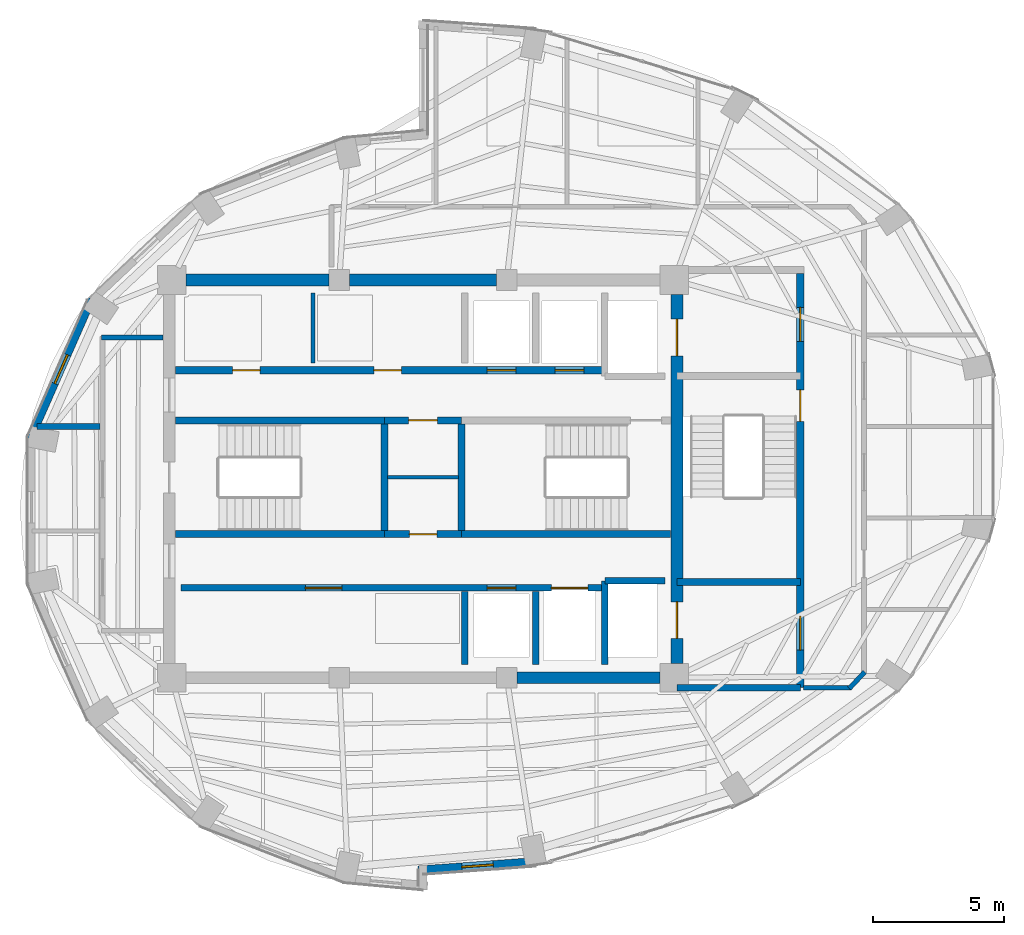
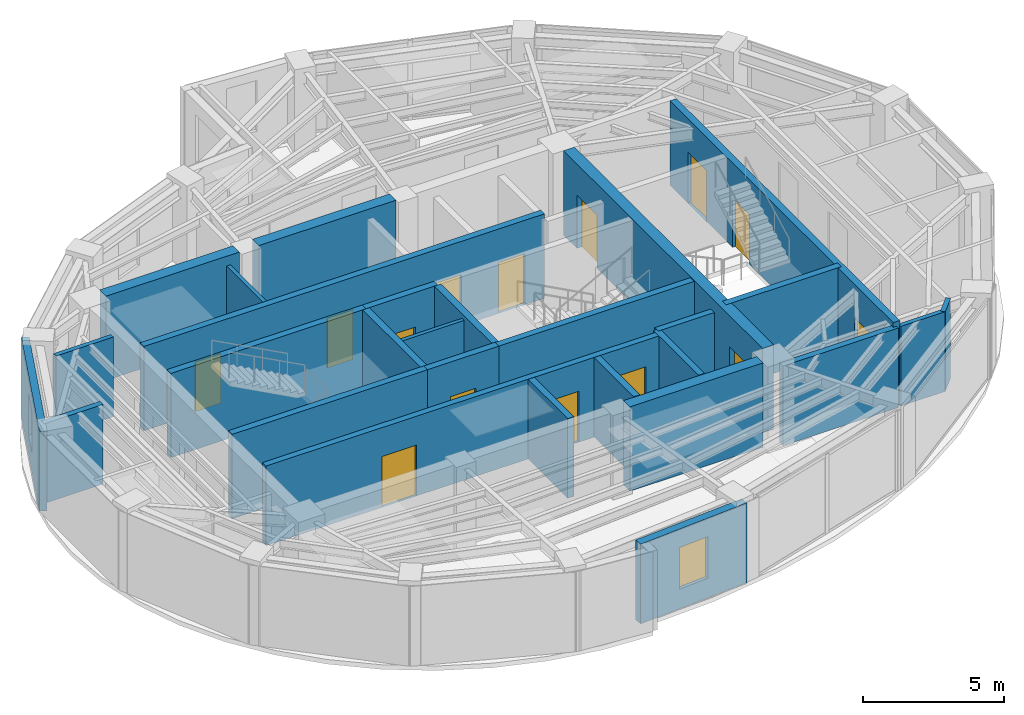
# One storey, part 9 of 13: 28 walls, 14 doors, 2 windows, 16 openings.
"""IFC4 building model written with IfcOpenShell, lengths in metres."""

from ifc_helpers import new_model, si_unit, direction, frame, frame_2d, origin, place, context, subcontext, project, spatial, rectangle, extrude, material, layer, layer_set, type_object, element, fill, save


model = new_model("IFC4")

# Units and contexts
model_context = context("Model", 3, precision=1e-05, world=origin(), true_north=direction((0.0, 1.0)))
body_context = subcontext(model_context, "Body", "Model", "MODEL_VIEW")
ifc_project = project(units=[si_unit("LENGTHUNIT", "METRE"), si_unit("AREAUNIT", "SQUARE_METRE"), si_unit("VOLUMEUNIT", "CUBIC_METRE"), si_unit("PLANEANGLEUNIT", "RADIAN"), si_unit("MASSUNIT", "GRAM", prefix="KILO")], contexts=[model_context])

# Site, building, storey
site_placement = place(None, origin())
site = spatial("IfcSite", under=ifc_project, at=site_placement, CompositionType="ELEMENT")
building_placement = place(site_placement, origin())
building = spatial("IfcBuilding", under=site, at=building_placement, Name="Lazwardi Medical Tower", CompositionType="ELEMENT")
storey_placement = place(building_placement, frame((0.0, 0.0, 273.263916015625)))
storey = spatial("IfcBuildingStorey", under=building, at=storey_placement, Name="L71", CompositionType="ELEMENT", Elevation=273.263916015625)

# Walls
ifc_material_1 = material(Name="Fire-rated gypsum board on steel stud", Category="steel")
ifc_layer_1 = layer(ifc_material_1, 0.179931640625)
ifc_layer_set_1 = layer_set([ifc_layer_1], Name="Fire-rated gypsum board on steel stud")
wall_type_1 = type_object("IfcWallType", Name="WL-COR-180", PredefinedType="PARTITIONING", material=ifc_layer_set_1)
wall_1_placement = place(storey_placement, frame((52.877197265625, 20.619140625, 0.0), z_axis=(0.0, 0.0, 1.0), x_axis=(-0.682409308253, -0.730970270264, 0.0)))
element("IfcWall", 1, at=wall_1_placement, inside=storey, type_object=wall_type_1, Name="L71 Corridor partition 5", PredefinedType="PARTITIONING", context=body_context, shape_type="SweptSolid", body=[
    extrude(rectangle(XDim=0.859619140625, YDim=0.179931640625, at=frame_2d((0.4296875, 0.0))), origin(), (0.0, 0.0, 1.0), 3.447998046875),
])
wall_2_placement = place(storey_placement, frame((52.35791015625, 20.02001953125, 0.0), z_axis=(0.0, 0.0, 1.0), x_axis=(-1.0, 0.0, 0.0)))
element("IfcWall", 2, at=wall_2_placement, inside=storey, type_object=wall_type_1, Name="L71 Corridor partition 6", PredefinedType="PARTITIONING", context=body_context, shape_type="SweptSolid", body=[
    extrude(rectangle(XDim=1.81787109375, YDim=0.179931640625, at=frame_2d((0.908935546875, 0.0))), origin(), (0.0, 0.0, 1.0), 3.447998046875),
])
wall_3_placement = place(storey_placement, frame((23.7099609375, 33.39990234375, 0.0), z_axis=(0.0, 0.0, 1.0), x_axis=(1.0, 0.0, 0.0)))
element("IfcWall", 3, at=wall_3_placement, inside=storey, type_object=wall_type_1, Name="L71 Corridor partition 9", PredefinedType="PARTITIONING", context=body_context, shape_type="SweptSolid", body=[
    extrude(rectangle(XDim=2.35009765625, YDim=0.179931640625, at=frame_2d((1.175048828125, 0.0))), origin(), (0.0, 0.0, 1.0), 3.447998046875),
])

# Wall, openings, doors
ifc_material_2 = material(Name="Concrete C60/75", Category="concrete")
ifc_layer_2 = layer(ifc_material_2, 0.449951171875)
ifc_layer_set_2 = layer_set([ifc_layer_2], Name="Concrete C60/75")
wall_type_2 = type_object("IfcWallType", Name="WL-CORE-450", PredefinedType="SHEAR", material=ifc_layer_set_2)
wall_4_placement = place(storey_placement, frame((45.699951171875, 20.949951171875, 0.0), z_axis=(0.0, 0.0, 1.0), x_axis=(0.0, 1.0, 0.0)))
wall_4 = element("IfcWall", 4, at=wall_4_placement, inside=storey, type_object=wall_type_2, Name="Core wall CW-S4 east L71", PredefinedType="SHEAR", context=body_context, shape_type="SweptSolid", body=[
    extrude(rectangle(XDim=14.10009765625, YDim=0.449951171875, at=frame_2d((7.050048828125, 0.0))), origin(), (0.0, 0.0, 1.0), 3.648193359375),
])
opening_1_placement = place(wall_4_placement, frame((11.75, 0.0, 0.0)))
opening_1 = element("IfcOpeningElement", 5, at=opening_1_placement, cuts=wall_4, Name="Opening LD-L71-001", PredefinedType="OPENING", context=body_context, shape_type="SweptSolid", body=[
    extrude(rectangle(XDim=1.39990234375, YDim=2.300048828125, at=frame_2d((0.699951171875, 1.14990234375))), frame((0.0, 0.23486328125, 0.0), z_axis=(0.0, -1.0, 0.0), x_axis=(1.0, 0.0, 0.0)), (0.0, 0.0, 1.0), 0.469970703125),
])
opening_2_placement = place(wall_4_placement, frame((0.949951171875, 0.0, 0.0)))
opening_2 = element("IfcOpeningElement", 6, at=opening_2_placement, cuts=wall_4, Name="Opening LD-L71-002", PredefinedType="OPENING", context=body_context, shape_type="SweptSolid", body=[
    extrude(rectangle(XDim=1.39990234375, YDim=2.300048828125, at=frame_2d((0.699951171875, 1.14990234375))), frame((0.0, 0.23486328125, 0.0), z_axis=(0.0, -1.0, 0.0), x_axis=(1.0, 0.0, 0.0)), (0.0, 0.0, 1.0), 0.469970703125),
])
ifc_material_3 = material(Name="Brushed stainless steel bed-lift landing door", Category="steel")
door_type_1 = type_object("IfcDoorType", Name="DR-LFT-1400", OperationType="NOTDEFINED", PredefinedType="DOOR", material=ifc_material_3)
door_1_placement = place(opening_1_placement, origin())
door_1 = element("IfcDoor", 7, at=door_1_placement, inside=storey, type_object=door_type_1, Name="L71 Lift Landing Door FL-01", OperationType="SLIDING_TO_LEFT", OverallHeight=2.300048828125, OverallWidth=1.39990234375, PredefinedType="DOOR", context=body_context, shape_type="SweptSolid", body=[
    extrude(rectangle(XDim=1.39990234375, YDim=2.300048828125, at=frame_2d((0.699951171875, 1.14990234375))), frame((0.0, 0.02490234375, 0.0), z_axis=(0.0, -1.0, 0.0), x_axis=(1.0, 0.0, 0.0)), (0.0, 0.0, 1.0), 0.050048828125),
])
fill(opening_1, door_1)
door_2_placement = place(opening_2_placement, origin())
door_2 = element("IfcDoor", 8, at=door_2_placement, inside=storey, type_object=door_type_1, Name="L71 Lift Landing Door FL-02", OperationType="SLIDING_TO_LEFT", OverallHeight=2.300048828125, OverallWidth=1.39990234375, PredefinedType="DOOR", context=body_context, shape_type="SweptSolid", body=[
    extrude(rectangle(XDim=1.39990234375, YDim=2.300048828125, at=frame_2d((0.699951171875, 1.14990234375))), frame((0.0, 0.02490234375, 0.0), z_axis=(0.0, -1.0, 0.0), x_axis=(1.0, 0.0, 0.0)), (0.0, 0.0, 1.0), 0.050048828125),
])
fill(opening_2, door_2)

# Walls
wall_5_placement = place(storey_placement, frame((26.949951171875, 35.60009765625, 0.0), z_axis=(0.0, 0.0, 1.0), x_axis=(1.0, 0.0, 0.0)))
element("IfcWall", 9, at=wall_5_placement, inside=storey, type_object=wall_type_2, Name="Core wall CW-S4 N1 L71", PredefinedType="SHEAR", context=body_context, shape_type="SweptSolid", body=[
    extrude(rectangle(XDim=5.449951171875, YDim=0.449951171875, at=frame_2d((2.72509765625, 0.0))), origin(), (0.0, 0.0, 1.0), 3.648193359375),
])
wall_6_placement = place(storey_placement, frame((33.199951171875, 35.60009765625, 0.0), z_axis=(0.0, 0.0, 1.0), x_axis=(1.0, 0.0, 0.0)))
element("IfcWall", 10, at=wall_6_placement, inside=storey, type_object=wall_type_2, Name="Core wall CW-S4 N2 L71", PredefinedType="SHEAR", context=body_context, shape_type="SweptSolid", body=[
    extrude(rectangle(XDim=5.60009765625, YDim=0.449951171875, at=frame_2d((2.800048828125, 0.0))), origin(), (0.0, 0.0, 1.0), 3.648193359375),
])
wall_7_placement = place(storey_placement, frame((39.60009765625, 20.39990234375, 0.0), z_axis=(0.0, 0.0, 1.0), x_axis=(1.0, 0.0, 0.0)))
element("IfcWall", 11, at=wall_7_placement, inside=storey, type_object=wall_type_2, Name="Core wall CW-S4 S3 L71", PredefinedType="SHEAR", context=body_context, shape_type="SweptSolid", body=[
    extrude(rectangle(XDim=5.449951171875, YDim=0.449951171875, at=frame_2d((2.72509765625, 0.0))), origin(), (0.0, 0.0, 1.0), 3.648193359375),
])

# Wall, opening, window
ifc_material_4 = material(Name="Precast concrete C45/55", Category="concrete")
ifc_layer_3 = layer(ifc_material_4, 0.280029296875)
ifc_layer_set_3 = layer_set([ifc_layer_3], Name="Precast concrete C45/55")
wall_type_3 = type_object("IfcWallType", Name="WL-DRUM-280", PredefinedType="SOLIDWALL", material=ifc_layer_set_3)
wall_8_placement = place(storey_placement, frame((23.35205078125, 34.869384765625, 0.0), z_axis=(0.0, 0.0, 1.0), x_axis=(-0.402882523888, -0.915251698685, 0.0)))
wall_8 = element("IfcWall", 12, at=wall_8_placement, inside=storey, type_object=wall_type_3, Name="L71 West Drum Precast Wall 3", PredefinedType="SOLIDWALL", context=body_context, shape_type="SweptSolid", body=[
    extrude(rectangle(XDim=5.855712890625, YDim=0.280029296875, at=frame_2d((2.927734375, 0.0))), origin(), (0.0, 0.0, 1.0), 3.447998046875),
])
opening_3_placement = place(wall_8_placement, frame((2.327880859375, 0.0, 0.85009765625)))
opening_3 = element("IfcOpeningElement", 13, at=opening_3_placement, cuts=wall_8, Name="Opening WN-04", PredefinedType="OPENING", context=body_context, shape_type="SweptSolid", body=[
    extrude(rectangle(XDim=1.199951171875, YDim=1.800048828125, at=frame_2d((0.60009765625, 0.89990234375))), frame((0.0, 0.14990234375, 0.0), z_axis=(0.0, -1.0, 0.0), x_axis=(1.0, 0.0, 0.0)), (0.0, 0.0, 1.0), 0.300048828125),
])
ifc_material_5 = material(Name="Low-e bronze solar control double glazing", Category="glass")
window_type = type_object("IfcWindowType", Name="WIN-DRUM-1200", PartitioningType="SINGLE_PANEL", PredefinedType="WINDOW", material=ifc_material_5)
window_1_placement = place(opening_3_placement, origin())
window_1 = element("IfcWindow", 14, at=window_1_placement, inside=storey, type_object=window_type, Name="L71 West Drum Window 3", OverallHeight=1.800048828125, OverallWidth=1.199951171875, PartitioningType="SINGLE_PANEL", PredefinedType="WINDOW", context=body_context, shape_type="SweptSolid", body=[
    extrude(rectangle(XDim=1.199951171875, YDim=1.800048828125, at=frame_2d((0.60009765625, 0.89990234375))), frame((0.0, 0.030029296875, 0.0), z_axis=(0.0, -1.0, 0.0), x_axis=(1.0, 0.0, 0.0)), (0.0, 0.0, 1.0), 0.06005859375),
])
fill(opening_3, window_1)

ifc_layer_4 = layer(ifc_material_4, 0.320068359375)
ifc_layer_set_4 = layer_set([ifc_layer_4], Name="Precast concrete C45/55")
wall_type_4 = type_object("IfcWallType", Name="WL-IWAN-320", PredefinedType="SOLIDWALL", material=ifc_layer_set_4)
wall_9_placement = place(storey_placement, frame((35.820556640625, 13.047119140625, 0.0), z_axis=(0.0, 0.0, 1.0), x_axis=(0.997409061056, 0.071938619141, 0.0)))
wall_9 = element("IfcWall", 15, at=wall_9_placement, inside=storey, type_object=wall_type_4, Name="L71 Iwan Portal Return Wall SE_ret", PredefinedType="SOLIDWALL", context=body_context, shape_type="SweptSolid", body=[
    extrude(rectangle(XDim=4.540771484375, YDim=0.320068359375, at=frame_2d((2.2705078125, 0.0))), origin(), (0.0, 0.0, 1.0), 3.447998046875),
])
opening_4_placement = place(wall_9_placement, frame((1.67041015625, 0.0, 0.85009765625)))
opening_4 = element("IfcOpeningElement", 16, at=opening_4_placement, cuts=wall_9, Name="Opening WN-04", PredefinedType="OPENING", context=body_context, shape_type="SweptSolid", body=[
    extrude(rectangle(XDim=1.199951171875, YDim=1.800048828125, at=frame_2d((0.60009765625, 0.89990234375))), frame((0.0, 0.169921875, 0.0), z_axis=(0.0, -1.0, 0.0), x_axis=(1.0, 0.0, 0.0)), (0.0, 0.0, 1.0), 0.340087890625),
])
window_2_placement = place(opening_4_placement, origin())
window_2 = element("IfcWindow", 17, at=window_2_placement, inside=storey, type_object=window_type, Name="L71 Iwan Slot Window SE_ret", OverallHeight=1.800048828125, OverallWidth=1.199951171875, PartitioningType="SINGLE_PANEL", PredefinedType="WINDOW", context=body_context, shape_type="SweptSolid", body=[
    extrude(rectangle(XDim=1.199951171875, YDim=1.800048828125, at=frame_2d((0.60009765625, 0.89990234375))), frame((0.0, 0.030029296875, 0.0), z_axis=(0.0, -1.0, 0.0), x_axis=(1.0, 0.0, 0.0)), (0.0, 0.0, 1.0), 0.06005859375),
])
fill(opening_4, window_2)

# Wall, openings, doors
ifc_material_6 = material(Name="Autoclaved aerated concrete blockwork", Category="masonry")
ifc_layer_5 = layer(ifc_material_6, 0.25)
ifc_layer_set_5 = layer_set([ifc_layer_5], Name="Autoclaved aerated concrete blockwork")
wall_type_5 = type_object("IfcWallType", Name="WL-SHAFT-250", PredefinedType="SOLIDWALL", material=ifc_layer_set_5)
wall_10_placement = place(storey_placement, frame((26.75, 23.830078125, 0.0), z_axis=(0.0, 0.0, 1.0), x_axis=(1.0, 0.0, 0.0)))
wall_10 = element("IfcWall", 18, at=wall_10_placement, inside=storey, type_object=wall_type_5, Name="L71 South lift bank front wall", PredefinedType="SOLIDWALL", context=body_context, shape_type="SweptSolid", body=[
    extrude(rectangle(XDim=16.199951171875, YDim=0.25, at=frame_2d((8.10009765625, 0.0))), origin(), (0.0, 0.0, 1.0), 3.447998046875),
])
opening_5_placement = place(wall_10_placement, frame((4.75, 0.0, 0.0)))
opening_5 = element("IfcOpeningElement", 19, at=opening_5_placement, cuts=wall_10, Name="Opening D-L71-005", PredefinedType="OPENING", context=body_context, shape_type="SweptSolid", body=[
    extrude(rectangle(XDim=1.39990234375, YDim=2.199951171875, at=frame_2d((0.699951171875, 1.10009765625))), frame((0.0, 0.135009765625, 0.0), z_axis=(0.0, -1.0, 0.0), x_axis=(1.0, 0.0, 0.0)), (0.0, 0.0, 1.0), 0.27001953125),
])
opening_6_placement = place(wall_10_placement, frame((11.699951171875, 0.0, 0.0)))
opening_6 = element("IfcOpeningElement", 20, at=opening_6_placement, cuts=wall_10, Name="Opening LD-L71-006", PredefinedType="OPENING", context=body_context, shape_type="SweptSolid", body=[
    extrude(rectangle(XDim=1.10009765625, YDim=2.199951171875, at=frame_2d((0.550048828125, 1.10009765625))), frame((0.0, 0.135009765625, 0.0), z_axis=(0.0, -1.0, 0.0), x_axis=(1.0, 0.0, 0.0)), (0.0, 0.0, 1.0), 0.27001953125),
])
opening_7_placement = place(wall_10_placement, frame((14.14990234375, 0.0, 0.0)))
opening_7 = element("IfcOpeningElement", 21, at=opening_7_placement, cuts=wall_10, Name="Opening LD-L71-003", PredefinedType="OPENING", context=body_context, shape_type="SweptSolid", body=[
    extrude(rectangle(XDim=1.39990234375, YDim=2.300048828125, at=frame_2d((0.699951171875, 1.14990234375))), frame((0.0, 0.135009765625, 0.0), z_axis=(0.0, -1.0, 0.0), x_axis=(1.0, 0.0, 0.0)), (0.0, 0.0, 1.0), 0.27001953125),
])
ifc_material_7 = material(Name="Anti-microbial laminate hospital leaf")
door_type_2 = type_object("IfcDoorType", Name="DR-BED-1400", OperationType="NOTDEFINED", PredefinedType="DOOR", material=ifc_material_7)
door_3_placement = place(opening_5_placement, origin())
door_3 = element("IfcDoor", 22, at=door_3_placement, inside=storey, type_object=door_type_2, Name="L71 Core Dialysis Door", OperationType="SINGLE_SWING_LEFT", OverallHeight=2.199951171875, OverallWidth=1.39990234375, PredefinedType="DOOR", context=body_context, shape_type="SweptSolid", body=[
    extrude(rectangle(XDim=1.39990234375, YDim=2.199951171875, at=frame_2d((0.699951171875, 1.10009765625))), frame((0.0, 0.02490234375, 0.0), z_axis=(0.0, -1.0, 0.0), x_axis=(1.0, 0.0, 0.0)), (0.0, 0.0, 1.0), 0.050048828125),
])
fill(opening_5, door_3)
ifc_material_8 = material(Name="Brushed bronze stainless steel landing door", Category="steel")
door_type_3 = type_object("IfcDoorType", Name="DR-LFT-1100", OperationType="NOTDEFINED", PredefinedType="DOOR", material=ifc_material_8)
door_4_placement = place(opening_6_placement, origin())
door_4 = element("IfcDoor", 23, at=door_4_placement, inside=storey, type_object=door_type_3, Name="L71 Lift Landing Door PL-11", OperationType="SLIDING_TO_LEFT", OverallHeight=2.199951171875, OverallWidth=1.10009765625, PredefinedType="DOOR", context=body_context, shape_type="SweptSolid", body=[
    extrude(rectangle(XDim=1.10009765625, YDim=2.199951171875, at=frame_2d((0.550048828125, 1.10009765625))), frame((0.0, 0.02490234375, 0.0), z_axis=(0.0, -1.0, 0.0), x_axis=(1.0, 0.0, 0.0)), (0.0, 0.0, 1.0), 0.050048828125),
])
fill(opening_6, door_4)
door_5_placement = place(opening_7_placement, origin())
door_5 = element("IfcDoor", 24, at=door_5_placement, inside=storey, type_object=door_type_1, Name="L71 Lift Landing Door FL-03", OperationType="SLIDING_TO_LEFT", OverallHeight=2.300048828125, OverallWidth=1.39990234375, PredefinedType="DOOR", context=body_context, shape_type="SweptSolid", body=[
    extrude(rectangle(XDim=1.39990234375, YDim=2.300048828125, at=frame_2d((0.699951171875, 1.14990234375))), frame((0.0, 0.02490234375, 0.0), z_axis=(0.0, -1.0, 0.0), x_axis=(1.0, 0.0, 0.0)), (0.0, 0.0, 1.0), 0.050048828125),
])
fill(opening_7, door_5)

# Walls
wall_11_placement = place(storey_placement, frame((42.949951171875, 20.89990234375, 0.0), z_axis=(0.0, 0.0, 1.0), x_axis=(0.0, 1.0, 0.0)))
element("IfcWall", 25, at=wall_11_placement, inside=storey, type_object=wall_type_5, Name="L71 FL-02 West shaft wall", PredefinedType="SOLIDWALL", context=body_context, shape_type="SweptSolid", body=[
    extrude(rectangle(XDim=3.2001953125, YDim=0.25, at=frame_2d((1.60009765625, 0.0))), origin(), (0.0, 0.0, 1.0), 3.447998046875),
])
wall_12_placement = place(storey_placement, frame((42.949951171875, 24.10009765625, 0.0), z_axis=(0.0, 0.0, 1.0), x_axis=(1.0, 0.0, 0.0)))
element("IfcWall", 26, at=wall_12_placement, inside=storey, type_object=wall_type_5, Name="L71 FL-02 North shaft wall", PredefinedType="SOLIDWALL", context=body_context, shape_type="SweptSolid", body=[
    extrude(rectangle(XDim=2.300048828125, YDim=0.25, at=frame_2d((1.14990234375, 0.0))), origin(), (0.0, 0.0, 1.0), 3.447998046875),
])
for number, where, z_axis, x_axis, name in (
    (27, (37.60009765625, 20.89990234375, 0.0), (0.0, 0.0, 1.0), (0.0, 1.0, 0.0), "L71 South hoistway divider"),
    (28, (40.300048828125, 20.89990234375, 0.0), (0.0, 0.0, 1.0), (0.0, 1.0, 0.0), "L71 South hoistway divider"),
):
    element("IfcWall", number, at=place(storey_placement, frame(where, z_axis=z_axis, x_axis=x_axis)), inside=storey, type_object=wall_type_5, Name=name, PredefinedType="SOLIDWALL", context=body_context, shape_type="SweptSolid", body=[
        extrude(rectangle(XDim=2.800048828125, YDim=0.25, at=frame_2d((1.39990234375, 0.0))), origin(), (0.0, 0.0, 1.0), 3.447998046875),
    ])
wall_13_placement = place(storey_placement, frame((45.699951171875, 20.02001953125, 0.0), z_axis=(0.0, 0.0, 1.0), x_axis=(1.0, 0.0, 0.0)))
element("IfcWall", 29, at=wall_13_placement, inside=storey, type_object=wall_type_5, Name="L71 FFL-S South wall", PredefinedType="SOLIDWALL", context=body_context, shape_type="SweptSolid", body=[
    extrude(rectangle(XDim=4.715087890625, YDim=0.25, at=frame_2d((2.357421875, 0.0))), origin(), (0.0, 0.0, 1.0), 3.447998046875),
])
ifc_layer_6 = layer(ifc_material_1, 0.219970703125)
ifc_layer_set_6 = layer_set([ifc_layer_6], Name="Fire-rated gypsum board on steel stud")
wall_type_6 = type_object("IfcWallType", Name="WL-SMK-220", PredefinedType="PARTITIONING", material=ifc_layer_set_6)
wall_14_placement = place(storey_placement, frame((21.24365234375, 30.0, 0.0), z_axis=(0.0, 0.0, 1.0), x_axis=(1.0, 0.0, 0.0)))
element("IfcWall", 30, at=wall_14_placement, inside=storey, type_object=wall_type_6, Name="L71 Room partition 2", PredefinedType="PARTITIONING", context=body_context, shape_type="SweptSolid", body=[
    extrude(rectangle(XDim=2.416259765625, YDim=0.219970703125, at=frame_2d((1.2080078125, 0.0))), origin(), (0.0, 0.0, 1.0), 3.447998046875),
])
ifc_material_9 = material(Name="Concrete C50/60", Category="concrete")
ifc_layer_7 = layer(ifc_material_9, 0.27001953125)
ifc_layer_set_7 = layer_set([ifc_layer_7], Name="Concrete C50/60")
wall_type_7 = type_object("IfcWallType", Name="WL-STR-250", PredefinedType="SHEAR", material=ifc_layer_set_7)
wall_15_placement = place(storey_placement, frame((26.550048828125, 30.235107421875, 0.0), z_axis=(0.0, 0.0, 1.0), x_axis=(1.0, 0.0, 0.0)))
element("IfcWall", 31, at=wall_15_placement, inside=storey, type_object=wall_type_7, Name="L71 ST1 North shear shaft wall SW-S1", PredefinedType="SHEAR", context=body_context, shape_type="SweptSolid", body=[
    extrude(rectangle(XDim=7.98486328125, YDim=0.27001953125, at=frame_2d((3.992431640625, 0.0))), origin(), (0.0, 0.0, 1.0), 3.648193359375),
])

# Wall, opening, door
wall_16_placement = place(storey_placement, frame((34.534912109375, 30.235107421875, 0.0), z_axis=(0.0, 0.0, 1.0), x_axis=(1.0, 0.0, 0.0)))
wall_16 = element("IfcWall", 32, at=wall_16_placement, inside=storey, type_object=wall_type_7, Name="L71 Core service North shear wall SW-S1", PredefinedType="SHEAR", context=body_context, shape_type="SweptSolid", body=[
    extrude(rectangle(XDim=2.93017578125, YDim=0.27001953125, at=frame_2d((1.465087890625, 0.0))), origin(), (0.0, 0.0, 1.0), 3.648193359375),
])
opening_8_placement = place(wall_16_placement, frame((0.9150390625, 0.0, 0.0)))
opening_8 = element("IfcOpeningElement", 33, at=opening_8_placement, cuts=wall_16, Name="Opening D-L71-002", PredefinedType="OPENING", context=body_context, shape_type="SweptSolid", body=[
    extrude(rectangle(XDim=1.10009765625, YDim=2.14990234375, at=frame_2d((0.550048828125, 1.074951171875))), frame((0.0, 0.14501953125, 0.0), z_axis=(0.0, -1.0, 0.0), x_axis=(1.0, 0.0, 0.0)), (0.0, 0.0, 1.0), 0.2900390625),
])
ifc_material_10 = material(Name="Fire-rated steel leaf and frame", Category="steel")
door_type_4 = type_object("IfcDoorType", Name="DR-PLT-1100", OperationType="NOTDEFINED", PredefinedType="DOOR", material=ifc_material_10)
door_6_placement = place(opening_8_placement, origin())
door_6 = element("IfcDoor", 34, at=door_6_placement, inside=storey, type_object=door_type_4, Name="L71 Electrical Room Door", OperationType="SINGLE_SWING_RIGHT", OverallHeight=2.14990234375, OverallWidth=1.10009765625, PredefinedType="DOOR", context=body_context, shape_type="SweptSolid", body=[
    extrude(rectangle(XDim=1.10009765625, YDim=2.14990234375, at=frame_2d((0.550048828125, 1.074951171875))), frame((0.0, 0.02490234375, 0.0), z_axis=(0.0, -1.0, 0.0), x_axis=(1.0, 0.0, 0.0)), (0.0, 0.0, 1.0), 0.050048828125),
])
fill(opening_8, door_6)

# Wall
wall_17_placement = place(storey_placement, frame((26.550048828125, 25.885009765625, 0.0), z_axis=(0.0, 0.0, 1.0), x_axis=(1.0, 0.0, 0.0)))
element("IfcWall", 35, at=wall_17_placement, inside=storey, type_object=wall_type_7, Name="L71 ST1 South shear shaft wall SW-S1", PredefinedType="SHEAR", context=body_context, shape_type="SweptSolid", body=[
    extrude(rectangle(XDim=7.98486328125, YDim=0.27001953125, at=frame_2d((3.992431640625, 0.0))), origin(), (0.0, 0.0, 1.0), 3.648193359375),
])

# Wall, opening, door
wall_18_placement = place(storey_placement, frame((34.534912109375, 25.885009765625, 0.0), z_axis=(0.0, 0.0, 1.0), x_axis=(1.0, 0.0, 0.0)))
wall_18 = element("IfcWall", 36, at=wall_18_placement, inside=storey, type_object=wall_type_7, Name="L71 Core service South shear wall SW-S1", PredefinedType="SHEAR", context=body_context, shape_type="SweptSolid", body=[
    extrude(rectangle(XDim=2.93017578125, YDim=0.27001953125, at=frame_2d((1.465087890625, 0.0))), origin(), (0.0, 0.0, 1.0), 3.648193359375),
])
opening_9_placement = place(wall_18_placement, frame((0.93994140625, 0.0, 0.0)))
opening_9 = element("IfcOpeningElement", 37, at=opening_9_placement, cuts=wall_18, Name="Opening D-L71-001", PredefinedType="OPENING", context=body_context, shape_type="SweptSolid", body=[
    extrude(rectangle(XDim=1.050048828125, YDim=2.14990234375, at=frame_2d((0.52490234375, 1.074951171875))), frame((0.0, 0.14501953125, 0.0), z_axis=(0.0, -1.0, 0.0), x_axis=(1.0, 0.0, 0.0)), (0.0, 0.0, 1.0), 0.2900390625),
])
door_type_5 = type_object("IfcDoorType", Name="DR-CLN-1050", OperationType="NOTDEFINED", PredefinedType="DOOR", material=ifc_material_7)
door_7_placement = place(opening_9_placement, origin())
door_7 = element("IfcDoor", 38, at=door_7_placement, inside=storey, type_object=door_type_5, Name="L71 Dirty Sluice Door", OperationType="SINGLE_SWING_LEFT", OverallHeight=2.14990234375, OverallWidth=1.050048828125, PredefinedType="DOOR", context=body_context, shape_type="SweptSolid", body=[
    extrude(rectangle(XDim=1.050048828125, YDim=2.14990234375, at=frame_2d((0.52490234375, 1.074951171875))), frame((0.0, 0.02490234375, 0.0), z_axis=(0.0, -1.0, 0.0), x_axis=(1.0, 0.0, 0.0)), (0.0, 0.0, 1.0), 0.050048828125),
])
fill(opening_9, door_7)

# Walls
wall_19_placement = place(storey_placement, frame((37.465087890625, 25.885009765625, 0.0), z_axis=(0.0, 0.0, 1.0), x_axis=(1.0, 0.0, 0.0)))
element("IfcWall", 39, at=wall_19_placement, inside=storey, type_object=wall_type_7, Name="L71 ST2 South shear shaft wall SW-S1", PredefinedType="SHEAR", context=body_context, shape_type="SweptSolid", body=[
    extrude(rectangle(XDim=7.98486328125, YDim=0.27001953125, at=frame_2d((3.992431640625, 0.0))), origin(), (0.0, 0.0, 1.0), 3.648193359375),
])
for number, where, z_axis, x_axis, name in (
    (40, (34.534912109375, 26.02001953125, 0.0), (0.0, 0.0, 1.0), (0.0, 1.0, 0.0), "L71 ST1 East shear shaft wall SW-S1"),
    (41, (37.465087890625, 26.02001953125, 0.0), (0.0, 0.0, 1.0), (0.0, 1.0, 0.0), "L71 ST2 West shear shaft wall SW-S1"),
):
    element("IfcWall", number, at=place(storey_placement, frame(where, z_axis=z_axis, x_axis=x_axis)), inside=storey, type_object=wall_type_7, Name=name, PredefinedType="SHEAR", context=body_context, shape_type="SweptSolid", body=[
        extrude(rectangle(XDim=4.080078125, YDim=0.27001953125, at=frame_2d((2.0400390625, 0.0))), origin(), (0.0, 0.0, 1.0), 3.648193359375),
    ])

# Wall, openings, doors
wall_20_placement = place(storey_placement, frame((26.550048828125, 32.14990234375, 0.0), z_axis=(0.0, 0.0, 1.0), x_axis=(1.0, 0.0, 0.0)))
wall_20 = element("IfcWall", 42, at=wall_20_placement, inside=storey, type_object=wall_type_7, Name="L71 North lift bank shear wall SW-S1", PredefinedType="SHEAR", context=body_context, shape_type="SweptSolid", body=[
    extrude(rectangle(XDim=16.39990234375, YDim=0.27001953125, at=frame_2d((8.199951171875, 0.0))), origin(), (0.0, 0.0, 1.0), 3.648193359375),
])
opening_10_placement = place(wall_20_placement, frame((2.175048828125, 0.0, 0.0)))
opening_10 = element("IfcOpeningElement", 43, at=opening_10_placement, cuts=wall_20, Name="Opening D-L71-003", PredefinedType="OPENING", context=body_context, shape_type="SweptSolid", body=[
    extrude(rectangle(XDim=1.050048828125, YDim=2.14990234375, at=frame_2d((0.52490234375, 1.074951171875))), frame((0.0, 0.14501953125, 0.0), z_axis=(0.0, -1.0, 0.0), x_axis=(1.0, 0.0, 0.0)), (0.0, 0.0, 1.0), 0.2900390625),
])
opening_11_placement = place(wall_20_placement, frame((7.574951171875, 0.0, 0.0)))
opening_11 = element("IfcOpeningElement", 44, at=opening_11_placement, cuts=wall_20, Name="Opening D-L71-004", PredefinedType="OPENING", context=body_context, shape_type="SweptSolid", body=[
    extrude(rectangle(XDim=1.050048828125, YDim=2.14990234375, at=frame_2d((0.52490234375, 1.074951171875))), frame((0.0, 0.14501953125, 0.0), z_axis=(0.0, -1.0, 0.0), x_axis=(1.0, 0.0, 0.0)), (0.0, 0.0, 1.0), 0.2900390625),
])
opening_12_placement = place(wall_20_placement, frame((11.89990234375, 0.0, 0.0)))
opening_12 = element("IfcOpeningElement", 45, at=opening_12_placement, cuts=wall_20, Name="Opening LD-L71-004", PredefinedType="OPENING", context=body_context, shape_type="SweptSolid", body=[
    extrude(rectangle(XDim=1.10009765625, YDim=2.199951171875, at=frame_2d((0.550048828125, 1.10009765625))), frame((0.0, 0.14501953125, 0.0), z_axis=(0.0, -1.0, 0.0), x_axis=(1.0, 0.0, 0.0)), (0.0, 0.0, 1.0), 0.2900390625),
])
opening_13_placement = place(wall_20_placement, frame((14.5, 0.0, 0.0)))
opening_13 = element("IfcOpeningElement", 46, at=opening_13_placement, cuts=wall_20, Name="Opening LD-L71-005", PredefinedType="OPENING", context=body_context, shape_type="SweptSolid", body=[
    extrude(rectangle(XDim=1.10009765625, YDim=2.199951171875, at=frame_2d((0.550048828125, 1.10009765625))), frame((0.0, 0.14501953125, 0.0), z_axis=(0.0, -1.0, 0.0), x_axis=(1.0, 0.0, 0.0)), (0.0, 0.0, 1.0), 0.2900390625),
])
door_8_placement = place(opening_10_placement, origin())
door_8 = element("IfcDoor", 47, at=door_8_placement, inside=storey, type_object=door_type_5, Name="L71 Core Consult Door", OperationType="SINGLE_SWING_LEFT", OverallHeight=2.14990234375, OverallWidth=1.050048828125, PredefinedType="DOOR", context=body_context, shape_type="SweptSolid", body=[
    extrude(rectangle(XDim=1.050048828125, YDim=2.14990234375, at=frame_2d((0.52490234375, 1.074951171875))), frame((0.0, 0.02490234375, 0.0), z_axis=(0.0, -1.0, 0.0), x_axis=(1.0, 0.0, 0.0)), (0.0, 0.0, 1.0), 0.050048828125),
])
fill(opening_10, door_8)
door_9_placement = place(opening_11_placement, origin())
door_9 = element("IfcDoor", 48, at=door_9_placement, inside=storey, type_object=door_type_5, Name="L71 Core Pharmacy Door", OperationType="SINGLE_SWING_RIGHT", OverallHeight=2.14990234375, OverallWidth=1.050048828125, PredefinedType="DOOR", context=body_context, shape_type="SweptSolid", body=[
    extrude(rectangle(XDim=1.050048828125, YDim=2.14990234375, at=frame_2d((0.52490234375, 1.074951171875))), frame((0.0, 0.02490234375, 0.0), z_axis=(0.0, -1.0, 0.0), x_axis=(1.0, 0.0, 0.0)), (0.0, 0.0, 1.0), 0.050048828125),
])
fill(opening_11, door_9)
door_10_placement = place(opening_12_placement, origin())
door_10 = element("IfcDoor", 49, at=door_10_placement, inside=storey, type_object=door_type_3, Name="L71 Lift Landing Door PL-09", OperationType="SLIDING_TO_LEFT", OverallHeight=2.199951171875, OverallWidth=1.10009765625, PredefinedType="DOOR", context=body_context, shape_type="SweptSolid", body=[
    extrude(rectangle(XDim=1.10009765625, YDim=2.199951171875, at=frame_2d((0.550048828125, 1.10009765625))), frame((0.0, 0.02490234375, 0.0), z_axis=(0.0, -1.0, 0.0), x_axis=(1.0, 0.0, 0.0)), (0.0, 0.0, 1.0), 0.050048828125),
])
fill(opening_12, door_10)
door_11_placement = place(opening_13_placement, origin())
door_11 = element("IfcDoor", 50, at=door_11_placement, inside=storey, type_object=door_type_3, Name="L71 Lift Landing Door PL-10", OperationType="SLIDING_TO_LEFT", OverallHeight=2.199951171875, OverallWidth=1.10009765625, PredefinedType="DOOR", context=body_context, shape_type="SweptSolid", body=[
    extrude(rectangle(XDim=1.10009765625, YDim=2.199951171875, at=frame_2d((0.550048828125, 1.10009765625))), frame((0.0, 0.02490234375, 0.0), z_axis=(0.0, -1.0, 0.0), x_axis=(1.0, 0.0, 0.0)), (0.0, 0.0, 1.0), 0.050048828125),
])
fill(opening_13, door_11)

wall_21_placement = place(storey_placement, frame((50.4150390625, 35.844970703125, 0.0), z_axis=(0.0, 0.0, 1.0), x_axis=(0.0, -1.0, 0.0)))
wall_21 = element("IfcWall", 51, at=wall_21_placement, inside=storey, type_object=wall_type_7, Name="L71 East ST3 & FFL shear wall SW-S1", PredefinedType="SHEAR", context=body_context, shape_type="SweptSolid", body=[
    extrude(rectangle(XDim=15.824951171875, YDim=0.27001953125, at=frame_2d((7.91259765625, 0.0))), origin(), (0.0, 0.0, 1.0), 3.648193359375),
])
opening_14_placement = place(wall_21_placement, frame((4.445068359375, 0.0, 0.0)))
opening_14 = element("IfcOpeningElement", 52, at=opening_14_placement, cuts=wall_21, Name="Opening D-L71-021", PredefinedType="OPENING", context=body_context, shape_type="SweptSolid", body=[
    extrude(rectangle(XDim=1.199951171875, YDim=2.14990234375, at=frame_2d((0.60009765625, 1.074951171875))), frame((0.0, 0.14501953125, 0.0), z_axis=(0.0, -1.0, 0.0), x_axis=(1.0, 0.0, 0.0)), (0.0, 0.0, 1.0), 0.2900390625),
])
opening_15_placement = place(wall_21_placement, frame((1.294921875, 0.0, 0.0)))
opening_15 = element("IfcOpeningElement", 53, at=opening_15_placement, cuts=wall_21, Name="Opening D-L71-006", PredefinedType="OPENING", context=body_context, shape_type="SweptSolid", body=[
    extrude(rectangle(XDim=1.300048828125, YDim=2.199951171875, at=frame_2d((0.64990234375, 1.10009765625))), frame((0.0, 0.14501953125, 0.0), z_axis=(0.0, -1.0, 0.0), x_axis=(1.0, 0.0, 0.0)), (0.0, 0.0, 1.0), 0.2900390625),
])
opening_16_placement = place(wall_21_placement, frame((13.094970703125, 0.0, 0.0)))
opening_16 = element("IfcOpeningElement", 54, at=opening_16_placement, cuts=wall_21, Name="Opening D-L71-007", PredefinedType="OPENING", context=body_context, shape_type="SweptSolid", body=[
    extrude(rectangle(XDim=1.300048828125, YDim=2.199951171875, at=frame_2d((0.64990234375, 1.10009765625))), frame((0.0, 0.14501953125, 0.0), z_axis=(0.0, -1.0, 0.0), x_axis=(1.0, 0.0, 0.0)), (0.0, 0.0, 1.0), 0.2900390625),
])
door_type_6 = type_object("IfcDoorType", Name="DR-FFL-1300", OperationType="NOTDEFINED", PredefinedType="DOOR", material=ifc_material_10)
door_12_placement = place(opening_15_placement, origin())
door_12 = element("IfcDoor", 55, at=door_12_placement, inside=storey, type_object=door_type_6, Name="L71 Fire-Fighting Lobby North Door", OperationType="SINGLE_SWING_LEFT", OverallHeight=2.199951171875, OverallWidth=1.300048828125, PredefinedType="DOOR", context=body_context, shape_type="SweptSolid", body=[
    extrude(rectangle(XDim=1.300048828125, YDim=2.199951171875, at=frame_2d((0.64990234375, 1.10009765625))), frame((0.0, 0.02490234375, 0.0), z_axis=(0.0, -1.0, 0.0), x_axis=(1.0, 0.0, 0.0)), (0.0, 0.0, 1.0), 0.050048828125),
])
fill(opening_15, door_12)
door_13_placement = place(opening_16_placement, origin())
door_13 = element("IfcDoor", 56, at=door_13_placement, inside=storey, type_object=door_type_6, Name="L71 Fire-Fighting Lobby South Door", OperationType="SINGLE_SWING_RIGHT", OverallHeight=2.199951171875, OverallWidth=1.300048828125, PredefinedType="DOOR", context=body_context, shape_type="SweptSolid", body=[
    extrude(rectangle(XDim=1.300048828125, YDim=2.199951171875, at=frame_2d((0.64990234375, 1.10009765625))), frame((0.0, 0.02490234375, 0.0), z_axis=(0.0, -1.0, 0.0), x_axis=(1.0, 0.0, 0.0)), (0.0, 0.0, 1.0), 0.050048828125),
])
fill(opening_16, door_13)
door_type_7 = type_object("IfcDoorType", Name="DR-STR-1200", OperationType="NOTDEFINED", PredefinedType="DOOR", material=ifc_material_10)
door_14_placement = place(opening_14_placement, origin())
door_14 = element("IfcDoor", 57, at=door_14_placement, inside=storey, type_object=door_type_7, Name="L71 Exit Stair ST3 Door", OperationType="SINGLE_SWING_RIGHT", OverallHeight=2.14990234375, OverallWidth=1.199951171875, PredefinedType="DOOR", context=body_context, shape_type="SweptSolid", body=[
    extrude(rectangle(XDim=1.199951171875, YDim=2.14990234375, at=frame_2d((0.60009765625, 1.074951171875))), frame((0.0, 0.02490234375, 0.0), z_axis=(0.0, -1.0, 0.0), x_axis=(1.0, 0.0, 0.0)), (0.0, 0.0, 1.0), 0.050048828125),
])
fill(opening_14, door_14)

# Walls
wall_22_placement = place(storey_placement, frame((45.699951171875, 24.06494140625, 0.0), z_axis=(0.0, 0.0, 1.0), x_axis=(1.0, 0.0, 0.0)))
element("IfcWall", 58, at=wall_22_placement, inside=storey, type_object=wall_type_7, Name="L71 ST3 South shear shaft wall SW-S1", PredefinedType="SHEAR", context=body_context, shape_type="SweptSolid", body=[
    extrude(rectangle(XDim=4.715087890625, YDim=0.27001953125, at=frame_2d((2.357421875, 0.0))), origin(), (0.0, 0.0, 1.0), 3.648193359375),
])
ifc_material_11 = material(Name="Acoustic gypsum board partition")
ifc_layer_8 = layer(ifc_material_11, 0.14990234375)
ifc_layer_set_8 = layer_set([ifc_layer_8], Name="Acoustic gypsum board partition")
wall_type_8 = type_object("IfcWallType", Name="WL-WRD-150", PredefinedType="PARTITIONING", material=ifc_layer_set_8)
wall_23_placement = place(storey_placement, frame((34.64990234375, 28.06005859375, 0.0), z_axis=(0.0, 0.0, 1.0), x_axis=(1.0, 0.0, 0.0)))
element("IfcWall", 59, at=wall_23_placement, inside=storey, type_object=wall_type_8, Name="L71 Core service divider", PredefinedType="PARTITIONING", context=body_context, shape_type="SweptSolid", body=[
    extrude(rectangle(XDim=2.7001953125, YDim=0.14990234375, at=frame_2d((1.35009765625, 0.0))), origin(), (0.0, 0.0, 1.0), 3.447998046875),
])
wall_24_placement = place(storey_placement, frame((31.800048828125, 32.419921875, 0.0), z_axis=(0.0, 0.0, 1.0), x_axis=(0.0, 1.0, 0.0)))
element("IfcWall", 60, at=wall_24_placement, inside=storey, type_object=wall_type_8, Name="L71 Freed bay2 N split", PredefinedType="PARTITIONING", context=body_context, shape_type="SweptSolid", body=[
    extrude(rectangle(XDim=2.68017578125, YDim=0.14990234375, at=frame_2d((1.340087890625, 0.0))), origin(), (0.0, 0.0, 1.0), 3.447998046875),
])

save(model, "model.ifc")
